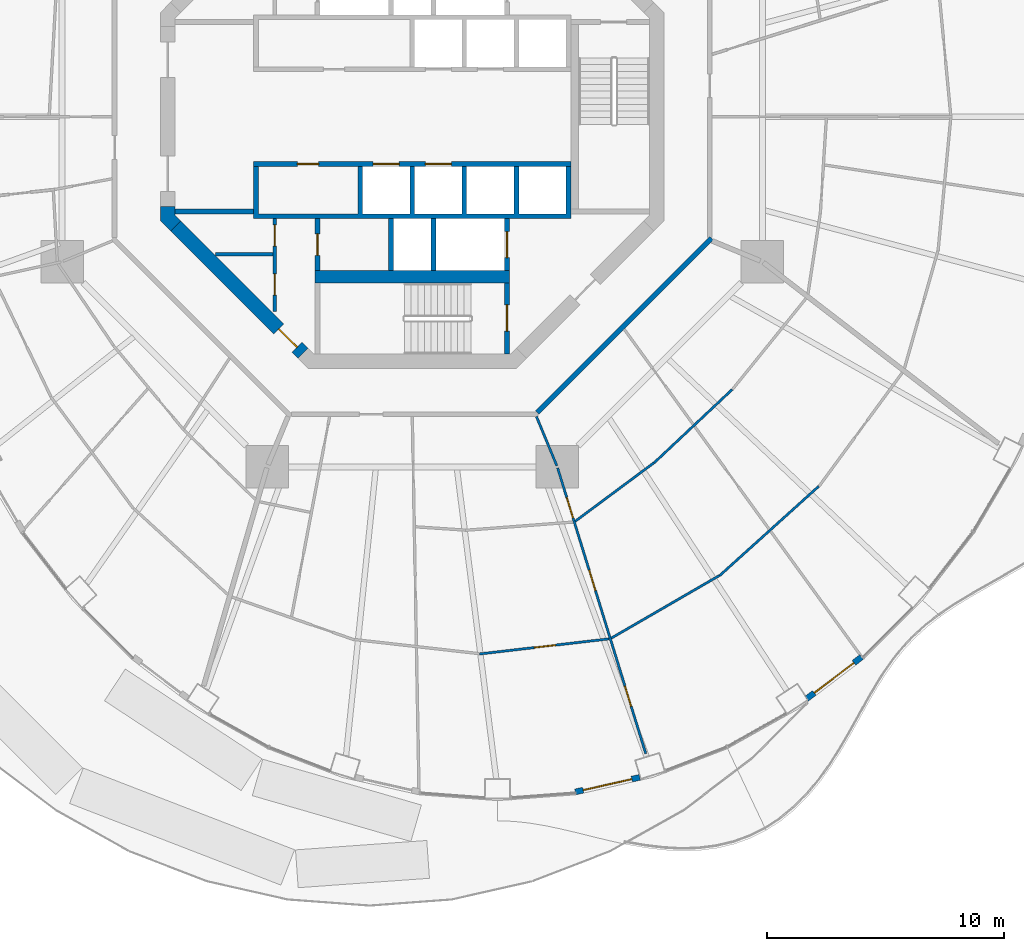
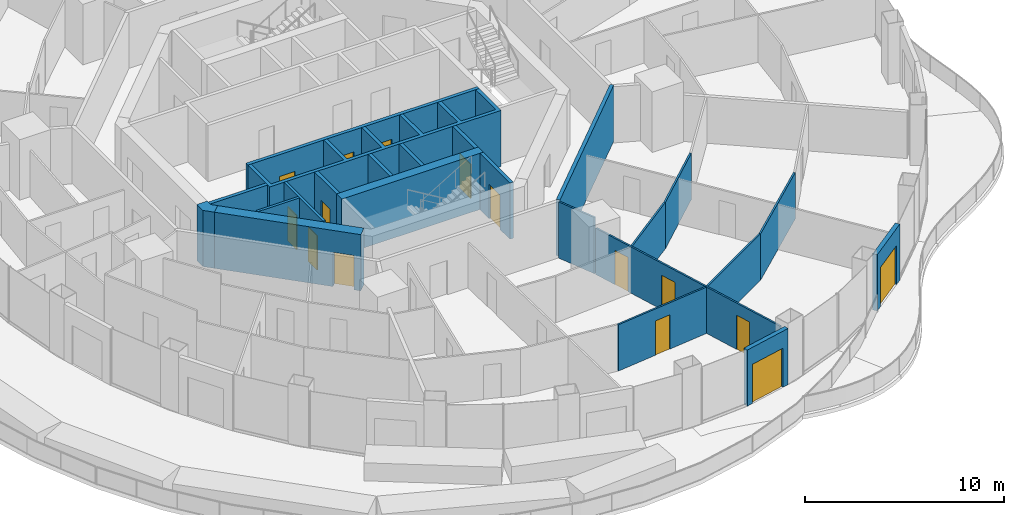
# One storey, part 13 of 20: 23 walls, 15 doors, 15 openings.
"""IFC4 building model written with IfcOpenShell, lengths in metres."""

from ifc_helpers import new_model, si_unit, direction, frame, frame_2d, origin, place, context, subcontext, project, spatial, polyline, rectangle, outline, extrude, material, layer, layer_set, type_object, element, fill, save


model = new_model("IFC4")

# Units and contexts
model_context = context("Model", 3, precision=1e-05, world=origin(), true_north=direction((0.0, 1.0)))
body_context = subcontext(model_context, "Body", "Model", "MODEL_VIEW")
ifc_project = project(units=[si_unit("LENGTHUNIT", "METRE"), si_unit("AREAUNIT", "SQUARE_METRE"), si_unit("VOLUMEUNIT", "CUBIC_METRE"), si_unit("PLANEANGLEUNIT", "RADIAN"), si_unit("MASSUNIT", "GRAM", prefix="KILO")], contexts=[model_context])

# Site, building, storey
site_placement = place(None, origin())
site = spatial("IfcSite", under=ifc_project, at=site_placement, CompositionType="ELEMENT")
building_placement = place(site_placement, origin())
building = spatial("IfcBuilding", under=site, at=building_placement, Name="Nagisa Residences", CompositionType="ELEMENT")
storey_placement = place(building_placement, frame((0.0, 0.0, 165.89990234375)))
storey = spatial("IfcBuildingStorey", under=building, at=storey_placement, Name="L41", CompositionType="ELEMENT", Elevation=165.89990234375)

# Wall
ifc_material_1 = material(Name="Gypsum board on steel studs", Category="steel")
ifc_layer_1 = layer(ifc_material_1, 0.199951171875)
ifc_layer_set_1 = layer_set([ifc_layer_1], Name="Apartment entry wall EI60 200")
wall_type_1 = type_object("IfcWallType", Name="Apartment entry wall EI60 200", PredefinedType="PARTITIONING", material=ifc_layer_set_1)
wall_1_placement = place(storey_placement, frame((5.275146484375, -12.494140625, 0.0), z_axis=(0.0, 0.0, 1.0), x_axis=(0.707106781187, 0.707106781187, 0.0)))
element("IfcWall", 1, at=wall_1_placement, inside=storey, type_object=wall_type_1, Name="wall:L41:u15", PredefinedType="PARTITIONING", context=body_context, shape_type="SweptSolid", body=[
    extrude(rectangle(XDim=10.4091796875, YDim=0.199951171875, at=frame_2d((5.20458984375, 0.0))), origin(), (0.0, 0.0, 1.0), 3.440185546875),
])

# Wall, opening, door
ifc_material_2 = material(Name="Gypsum board on steel studs", Category="steel")
ifc_layer_2 = layer(ifc_material_2, 0.10009765625)
ifc_layer_set_2 = layer_set([ifc_layer_2], Name="Apartment partition 100")
wall_type_2 = type_object("IfcWallType", Name="Apartment partition 100", PredefinedType="PARTITIONING", material=ifc_layer_set_2)
wall_2_placement = place(storey_placement, frame((2.841552734375, -22.682861328125, 0.0), z_axis=(0.0, 0.0, 1.0), x_axis=(0.993248590259, 0.116005335864, 0.0)))
wall_2 = element("IfcWall", 2, at=wall_2_placement, inside=storey, type_object=wall_type_2, Name="wall:L41:u77", PredefinedType="PARTITIONING", context=body_context, shape_type="SweptSolid", body=[
    extrude(rectangle(XDim=5.507568359375, YDim=0.10009765625, at=frame_2d((2.75390625, 0.0))), origin(), (0.0, 0.0, 1.0), 2.837158203125),
])
opening_1_placement = place(wall_2_placement, frame((2.328857421875, 0.0, 0.0)))
opening_1 = element("IfcOpeningElement", 3, at=opening_1_placement, cuts=wall_2, Name="Opening L41-U50", PredefinedType="OPENING", context=body_context, shape_type="SweptSolid", body=[
    extrude(rectangle(XDim=0.89990234375, YDim=2.10009765625, at=frame_2d((0.449951171875, 1.050048828125))), frame((0.0, 0.06005859375, 0.0), z_axis=(0.0, -1.0, 0.0), x_axis=(1.0, 0.0, 0.0)), (0.0, 0.0, 1.0), 0.1201171875),
])
ifc_material_3 = material(Name="Timber door set", Category="wood")
door_type_1 = type_object("IfcDoorType", Name="Apartment door 900x2100", OperationType="NOTDEFINED", PredefinedType="DOOR", material=ifc_material_3)
door_1_placement = place(opening_1_placement, frame((0.89990234375, 0.0, 0.0), x_axis=(-1.0, 0.0, 0.0)))
door_1 = element("IfcDoor", 4, at=door_1_placement, inside=storey, type_object=door_type_1, Name="Door to living room, Apartment 41D", OperationType="SINGLE_SWING_LEFT", OverallHeight=2.10009765625, OverallWidth=0.89990234375, PredefinedType="DOOR", context=body_context, shape_type="SweptSolid", body=[
    extrude(rectangle(XDim=0.89990234375, YDim=2.10009765625, at=frame_2d((0.449951171875, 1.050048828125))), frame((0.0, 0.02490234375, 0.0), z_axis=(0.0, -1.0, 0.0), x_axis=(1.0, 0.0, 0.0)), (0.0, 0.0, 1.0), 0.050048828125),
])
fill(opening_1, door_1)

# Wall
wall_3_placement = place(storey_placement, frame((5.24267578125, -12.6572265625, 0.0), z_axis=(0.0, 0.0, 1.0), x_axis=(0.382719158442, -0.923864733477, 0.0)))
element("IfcWall", 5, at=wall_3_placement, inside=storey, type_object=wall_type_2, Name="wall:L41:u78", PredefinedType="PARTITIONING", context=body_context, shape_type="SweptSolid", body=[
    extrude(rectangle(XDim=2.25, YDim=0.10009765625, at=frame_2d((1.125, 0.0))), origin(), (0.0, 0.0, 1.0), 3.440185546875),
])

# Wall, openings, doors
wall_4_placement = place(storey_placement, frame((6.1376953125, -14.829833984375, 0.0), z_axis=(0.0, 0.0, 1.0), x_axis=(0.294818517221, -0.955553264818, 0.0)))
wall_4 = element("IfcWall", 6, at=wall_4_placement, inside=storey, type_object=wall_type_2, Name="wall:L41:u79", PredefinedType="PARTITIONING", context=body_context, shape_type="SweptSolid", body=[
    extrude(rectangle(XDim=12.619384765625, YDim=0.10009765625, at=frame_2d((6.3095703125, 0.0))), origin(), (0.0, 0.0, 1.0), 2.837158203125),
])
opening_2_placement = place(wall_4_placement, frame((1.3056640625, 0.0, 0.0)))
opening_2 = element("IfcOpeningElement", 7, at=opening_2_placement, cuts=wall_4, Name="Opening L41-U43", PredefinedType="OPENING", context=body_context, shape_type="SweptSolid", body=[
    extrude(rectangle(XDim=0.89990234375, YDim=2.10009765625, at=frame_2d((0.449951171875, 1.050048828125))), frame((0.0, 0.06005859375, 0.0), z_axis=(0.0, -1.0, 0.0), x_axis=(1.0, 0.0, 0.0)), (0.0, 0.0, 1.0), 0.1201171875),
])
opening_3_placement = place(wall_4_placement, frame((4.5146484375, 0.0, 0.0)))
opening_3 = element("IfcOpeningElement", 8, at=opening_3_placement, cuts=wall_4, Name="Opening L41-U47", PredefinedType="OPENING", context=body_context, shape_type="SweptSolid", body=[
    extrude(rectangle(XDim=0.89990234375, YDim=2.10009765625, at=frame_2d((0.449951171875, 1.050048828125))), frame((0.0, 0.06005859375, 0.0), z_axis=(0.0, -1.0, 0.0), x_axis=(1.0, 0.0, 0.0)), (0.0, 0.0, 1.0), 0.1201171875),
])
opening_4_placement = place(wall_4_placement, frame((9.631591796875, 0.0, 0.0)))
opening_4 = element("IfcOpeningElement", 9, at=opening_4_placement, cuts=wall_4, Name="Opening L41-U51", PredefinedType="OPENING", context=body_context, shape_type="SweptSolid", body=[
    extrude(rectangle(XDim=0.89990234375, YDim=2.10009765625, at=frame_2d((0.449951171875, 1.050048828125))), frame((0.0, 0.06005859375, 0.0), z_axis=(0.0, -1.0, 0.0), x_axis=(1.0, 0.0, 0.0)), (0.0, 0.0, 1.0), 0.1201171875),
])
door_2_placement = place(opening_2_placement, origin())
door_2 = element("IfcDoor", 10, at=door_2_placement, inside=storey, type_object=door_type_1, Name="Door to store, Apartment 41D", OperationType="SINGLE_SWING_LEFT", OverallHeight=2.10009765625, OverallWidth=0.89990234375, PredefinedType="DOOR", context=body_context, shape_type="SweptSolid", body=[
    extrude(rectangle(XDim=0.89990234375, YDim=2.10009765625, at=frame_2d((0.449951171875, 1.050048828125))), frame((0.0, 0.02490234375, 0.0), z_axis=(0.0, -1.0, 0.0), x_axis=(1.0, 0.0, 0.0)), (0.0, 0.0, 1.0), 0.050048828125),
])
fill(opening_2, door_2)
door_3_placement = place(opening_3_placement, origin())
door_3 = element("IfcDoor", 11, at=door_3_placement, inside=storey, type_object=door_type_1, Name="Door to dining room, Apartment 41D", OperationType="SINGLE_SWING_LEFT", OverallHeight=2.10009765625, OverallWidth=0.89990234375, PredefinedType="DOOR", context=body_context, shape_type="SweptSolid", body=[
    extrude(rectangle(XDim=0.89990234375, YDim=2.10009765625, at=frame_2d((0.449951171875, 1.050048828125))), frame((0.0, 0.02490234375, 0.0), z_axis=(0.0, -1.0, 0.0), x_axis=(1.0, 0.0, 0.0)), (0.0, 0.0, 1.0), 0.050048828125),
])
fill(opening_3, door_3)
door_4_placement = place(opening_4_placement, origin())
door_4 = element("IfcDoor", 12, at=door_4_placement, inside=storey, type_object=door_type_1, Name="Door to master bedroom, Apartment 41D", OperationType="SINGLE_SWING_LEFT", OverallHeight=2.10009765625, OverallWidth=0.89990234375, PredefinedType="DOOR", context=body_context, shape_type="SweptSolid", body=[
    extrude(rectangle(XDim=0.89990234375, YDim=2.10009765625, at=frame_2d((0.449951171875, 1.050048828125))), frame((0.0, 0.02490234375, 0.0), z_axis=(0.0, -1.0, 0.0), x_axis=(1.0, 0.0, 0.0)), (0.0, 0.0, 1.0), 0.050048828125),
])
fill(opening_4, door_4)

# Walls
wall_5_placement = place(storey_placement, frame((6.881103515625, -17.07958984375, 0.0), z_axis=(0.0, 0.0, 1.0), x_axis=(0.802784956441, 0.596268659005, 0.0)))
element("IfcWall", 13, at=wall_5_placement, inside=storey, type_object=wall_type_2, Name="wall:L41:u80", PredefinedType="PARTITIONING", context=body_context, shape_type="SweptSolid", body=[
    extrude(rectangle(XDim=4.142333984375, YDim=0.10009765625, at=frame_2d((2.0712890625, 0.0))), origin(), (0.0, 0.0, 1.0), 2.837158203125),
])
wall_6_placement = place(storey_placement, frame((8.405029296875, -22.01318359375, 0.0), z_axis=(0.0, 0.0, 1.0), x_axis=(0.865277177388, 0.501293732547, 0.0)))
element("IfcWall", 14, at=wall_6_placement, inside=storey, type_object=wall_type_2, Name="wall:L41:u81", PredefinedType="PARTITIONING", context=body_context, shape_type="SweptSolid", body=[
    extrude(rectangle(XDim=5.27001953125, YDim=0.10009765625, at=frame_2d((2.635009765625, 0.0))), origin(), (0.0, 0.0, 1.0), 2.837158203125),
])
wall_7_placement = place(storey_placement, frame((10.21044921875, -14.614013671875, 0.0), z_axis=(0.0, 0.0, 1.0), x_axis=(0.728883199496, 0.684638066055, 0.0)))
element("IfcWall", 15, at=wall_7_placement, inside=storey, type_object=wall_type_2, Name="wall:L41:u82", PredefinedType="PARTITIONING", context=body_context, shape_type="SweptSolid", body=[
    extrude(rectangle(XDim=4.519287109375, YDim=0.10009765625, at=frame_2d((2.259765625, 0.0))), origin(), (0.0, 0.0, 1.0), 2.837158203125),
])
wall_8_placement = place(storey_placement, frame((12.97119140625, -19.3798828125, 0.0), z_axis=(0.0, 0.0, 1.0), x_axis=(0.742768881471, 0.669547898748, 0.0)))
element("IfcWall", 16, at=wall_8_placement, inside=storey, type_object=wall_type_2, Name="wall:L41:u83", PredefinedType="PARTITIONING", context=body_context, shape_type="SweptSolid", body=[
    extrude(rectangle(XDim=5.6416015625, YDim=0.10009765625, at=frame_2d((2.82080078125, 0.0))), origin(), (0.0, 0.0, 1.0), 2.837158203125),
])

# Wall, opening, door
ifc_material_4 = material(Name="Precast concrete C40/50", Category="concrete")
ifc_layer_3 = layer(ifc_material_4, 0.25)
ifc_layer_set_3 = layer_set([ifc_layer_3], Name="BALCONY DOOR WALL 250")
wall_type_3 = type_object("IfcWallType", Name="BALCONY DOOR WALL 250", PredefinedType="SOLIDWALL", material=ifc_layer_set_3)
wall_9_placement = place(storey_placement, frame((9.603515625, -27.890625, 0.0), z_axis=(0.0, 0.0, 1.0), x_axis=(-0.975324329911, -0.220776926974, 0.0)))
wall_9 = element("IfcWall", 17, at=wall_9_placement, inside=storey, type_object=wall_type_3, Name="wall:L41:bay37", PredefinedType="SOLIDWALL", context=body_context, shape_type="SweptSolid", body=[
    extrude(rectangle(XDim=2.787841796875, YDim=0.25, at=frame_2d((1.39404296875, 0.0))), origin(), (0.0, 0.0, 1.0), 3.440185546875),
])
opening_5_placement = place(wall_9_placement, frame((0.343994140625, 0.0, 0.0)))
opening_5 = element("IfcOpeningElement", 18, at=opening_5_placement, cuts=wall_9, Name="Opening BD-L41-13", PredefinedType="OPENING", context=body_context, shape_type="SweptSolid", body=[
    extrude(rectangle(XDim=2.10009765625, YDim=2.39990234375, at=frame_2d((1.050048828125, 1.199951171875))), frame((0.0, 0.135009765625, 0.0), z_axis=(0.0, -1.0, 0.0), x_axis=(1.0, 0.0, 0.0)), (0.0, 0.0, 1.0), 0.27001953125),
])
ifc_material_5 = material(Name="Aluminium and clear glass", Category="aluminium")
door_type_2 = type_object("IfcDoorType", Name="BALCONY SLIDING DOOR 2100x2400", OperationType="SLIDING_TO_LEFT", PredefinedType="DOOR", material=ifc_material_5)
door_5_placement = place(opening_5_placement, origin())
door_5 = element("IfcDoor", 19, at=door_5_placement, inside=storey, type_object=door_type_2, Name="door:L41:bay37", OperationType="SLIDING_TO_LEFT", OverallHeight=2.39990234375, OverallWidth=2.10009765625, PredefinedType="DOOR", context=body_context, shape_type="SweptSolid", body=[
    extrude(rectangle(XDim=2.10009765625, YDim=2.39990234375, at=frame_2d((1.050048828125, 1.199951171875))), frame((0.0, 0.02490234375, 0.0), z_axis=(0.0, -1.0, 0.0), x_axis=(1.0, 0.0, 0.0)), (0.0, 0.0, 1.0), 0.050048828125),
])
fill(opening_5, door_5)

wall_10_placement = place(storey_placement, frame((18.9716796875, -22.80859375, 0.0), z_axis=(0.0, 0.0, 1.0), x_axis=(-0.796055733703, -0.60522332146, 0.0)))
wall_10 = element("IfcWall", 20, at=wall_10_placement, inside=storey, type_object=wall_type_3, Name="wall:L41:bay40", PredefinedType="SOLIDWALL", context=body_context, shape_type="SweptSolid", body=[
    extrude(rectangle(XDim=2.9169921875, YDim=0.25, at=frame_2d((1.45849609375, 0.0))), origin(), (0.0, 0.0, 1.0), 3.440185546875),
])
opening_6_placement = place(wall_10_placement, frame((0.408447265625, 0.0, 0.0)))
opening_6 = element("IfcOpeningElement", 21, at=opening_6_placement, cuts=wall_10, Name="Opening BD-L41-14", PredefinedType="OPENING", context=body_context, shape_type="SweptSolid", body=[
    extrude(rectangle(XDim=2.10009765625, YDim=2.39990234375, at=frame_2d((1.050048828125, 1.199951171875))), frame((0.0, 0.135009765625, 0.0), z_axis=(0.0, -1.0, 0.0), x_axis=(1.0, 0.0, 0.0)), (0.0, 0.0, 1.0), 0.27001953125),
])
door_6_placement = place(opening_6_placement, origin())
door_6 = element("IfcDoor", 22, at=door_6_placement, inside=storey, type_object=door_type_2, Name="door:L41:bay40", OperationType="SLIDING_TO_LEFT", OverallHeight=2.39990234375, OverallWidth=2.10009765625, PredefinedType="DOOR", context=body_context, shape_type="SweptSolid", body=[
    extrude(rectangle(XDim=2.10009765625, YDim=2.39990234375, at=frame_2d((1.050048828125, 1.199951171875))), frame((0.0, 0.02490234375, 0.0), z_axis=(0.0, -1.0, 0.0), x_axis=(1.0, 0.0, 0.0)), (0.0, 0.0, 1.0), 0.050048828125),
])
fill(opening_6, door_6)

# Wall, openings, doors
ifc_material_6 = material(Name="Gypsum board on steel studs", Category="steel")
ifc_layer_4 = layer(ifc_material_6, 0.14990234375)
ifc_layer_set_4 = layer_set([ifc_layer_4], Name="Core partition 150")
wall_type_4 = type_object("IfcWallType", Name="Core partition 150", PredefinedType="PARTITIONING", material=ifc_layer_set_4)
wall_11_placement = place(storey_placement, frame((-5.800048828125, -8.22705078125, 0.0), z_axis=(0.0, 0.0, 1.0), x_axis=(0.0, 1.0, 0.0)))
wall_11 = element("IfcWall", 23, at=wall_11_placement, inside=storey, type_object=wall_type_4, Name="wall:L41:SWp", PredefinedType="PARTITIONING", context=body_context, shape_type="SweptSolid", body=[
    extrude(rectangle(XDim=3.927001953125, YDim=0.14990234375, at=frame_2d((1.96337890625, 0.0))), origin(), (0.0, 0.0, 1.0), 3.440185546875),
])
opening_7_placement = place(wall_11_placement, frame((2.764404296875, 0.0, 0.0)))
opening_7 = element("IfcOpeningElement", 24, at=opening_7_placement, cuts=wall_11, Name="Opening L41-C12", PredefinedType="OPENING", context=body_context, shape_type="SweptSolid", body=[
    extrude(rectangle(XDim=0.89990234375, YDim=2.10009765625, at=frame_2d((0.449951171875, 1.050048828125))), frame((0.0, 0.0849609375, 0.0), z_axis=(0.0, -1.0, 0.0), x_axis=(1.0, 0.0, 0.0)), (0.0, 0.0, 1.0), 0.169921875),
])
opening_8_placement = place(wall_11_placement, frame((0.6884765625, 0.0, 0.0)))
opening_8 = element("IfcOpeningElement", 25, at=opening_8_placement, cuts=wall_11, Name="Opening L41-C13", PredefinedType="OPENING", context=body_context, shape_type="SweptSolid", body=[
    extrude(rectangle(XDim=0.89990234375, YDim=2.10009765625, at=frame_2d((0.449951171875, 1.050048828125))), frame((0.0, 0.0849609375, 0.0), z_axis=(0.0, -1.0, 0.0), x_axis=(1.0, 0.0, 0.0)), (0.0, 0.0, 1.0), 0.169921875),
])
ifc_material_7 = material(Name="Steel fire door", Category="steel")
door_type_3 = type_object("IfcDoorType", Name="Fire door EI30 900x2100 single swing", OperationType="NOTDEFINED", PredefinedType="DOOR", material=ifc_material_7)
door_7_placement = place(opening_7_placement, origin())
door_7 = element("IfcDoor", 26, at=door_7_placement, inside=storey, type_object=door_type_3, Name="Janitor door L41", OperationType="SINGLE_SWING_RIGHT", OverallHeight=2.10009765625, OverallWidth=0.89990234375, PredefinedType="DOOR", context=body_context, shape_type="SweptSolid", body=[
    extrude(rectangle(XDim=0.89990234375, YDim=2.10009765625, at=frame_2d((0.449951171875, 1.050048828125))), frame((0.0, 0.02490234375, 0.0), z_axis=(0.0, -1.0, 0.0), x_axis=(1.0, 0.0, 0.0)), (0.0, 0.0, 1.0), 0.050048828125),
])
fill(opening_7, door_7)
door_8_placement = place(opening_8_placement, origin())
door_8 = element("IfcDoor", 27, at=door_8_placement, inside=storey, type_object=door_type_3, Name="Electrical room door L41", OperationType="SINGLE_SWING_RIGHT", OverallHeight=2.10009765625, OverallWidth=0.89990234375, PredefinedType="DOOR", context=body_context, shape_type="SweptSolid", body=[
    extrude(rectangle(XDim=0.89990234375, YDim=2.10009765625, at=frame_2d((0.449951171875, 1.050048828125))), frame((0.0, 0.02490234375, 0.0), z_axis=(0.0, -1.0, 0.0), x_axis=(1.0, 0.0, 0.0)), (0.0, 0.0, 1.0), 0.050048828125),
])
fill(opening_8, door_8)

# Walls
wall_12_placement = place(storey_placement, frame((-8.301025390625, -5.800048828125, 0.0), z_axis=(0.0, 0.0, 1.0), x_axis=(1.0, 0.0, 0.0)))
element("IfcWall", 28, at=wall_12_placement, inside=storey, type_object=wall_type_4, Name="wall:L41:SWq", PredefinedType="PARTITIONING", context=body_context, shape_type="SweptSolid", body=[
    extrude(rectangle(XDim=2.426025390625, YDim=0.14990234375, at=frame_2d((1.212890625, 0.0))), origin(), (0.0, 0.0, 1.0), 3.440185546875),
])
ifc_material_8 = material(Name="Gypsum board on steel studs", Category="steel")
ifc_layer_5 = layer(ifc_material_8, 0.199951171875)
ifc_layer_set_5 = layer_set([ifc_layer_5], Name="Core partition 200")
wall_type_5 = type_object("IfcWallType", Name="Core partition 200", PredefinedType="PARTITIONING", material=ifc_layer_set_5)
wall_13_placement = place(storey_placement, frame((-10.024658203125, -4.0, 0.0), z_axis=(0.0, 0.0, 1.0), x_axis=(1.0, 0.0, 0.0)))
element("IfcWall", 29, at=wall_13_placement, inside=storey, type_object=wall_type_5, Name="wall:L41:PSW", PredefinedType="PARTITIONING", context=body_context, shape_type="SweptSolid", body=[
    extrude(rectangle(XDim=3.32470703125, YDim=0.199951171875, at=frame_2d((1.662353515625, 0.0))), origin(), (0.0, 0.0, 1.0), 3.440185546875),
])

# Wall, opening, door
ifc_material_9 = material(Name="Concrete C60", Category="concrete")
ifc_layer_6 = layer(ifc_material_9, 0.60009765625)
ifc_layer_set_6 = layer_set([ifc_layer_6], Name="Core shear wall 600")
wall_type_6 = type_object("IfcWallType", Name="Core shear wall 600", PredefinedType="SHEAR", material=ifc_layer_set_6)
wall_14_placement = place(storey_placement, frame((-9.98828125, -4.613037109375, 0.0), z_axis=(0.0, 0.0, 1.0), x_axis=(0.707106781187, -0.707106781187, 0.0)))
wall_14 = element("IfcWall", 30, at=wall_14_placement, inside=storey, type_object=wall_type_6, Name="wall:L41:core:flat5", PredefinedType="SHEAR", context=body_context, shape_type="SweptSolid", body=[
    extrude(rectangle(XDim=7.601806640625, YDim=0.60009765625, at=frame_2d((3.80078125, 0.0))), origin(), (0.0, 0.0, 1.0), 3.440185546875),
])
opening_9_placement = place(wall_14_placement, frame((6.15087890625, 0.0, 0.0)))
opening_9 = element("IfcOpeningElement", 31, at=opening_9_placement, cuts=wall_14, Name="Opening L41-C22", PredefinedType="OPENING", context=body_context, shape_type="SweptSolid", body=[
    extrude(rectangle(XDim=1.10009765625, YDim=2.10009765625, at=frame_2d((0.550048828125, 1.050048828125))), frame((0.0, 0.31005859375, 0.0), z_axis=(0.0, -1.0, 0.0), x_axis=(1.0, 0.0, 0.0)), (0.0, 0.0, 1.0), 0.6201171875),
])
ifc_material_10 = material(Name="Steel fire door", Category="steel")
door_type_4 = type_object("IfcDoorType", Name="Fire door EI60 1100x2100 single swing", OperationType="NOTDEFINED", PredefinedType="DOOR", material=ifc_material_10)
door_9_placement = place(opening_9_placement, origin())
door_9 = element("IfcDoor", 32, at=door_9_placement, inside=storey, type_object=door_type_4, Name="Housekeeping lobby door L41", OperationType="SINGLE_SWING_LEFT", OverallHeight=2.10009765625, OverallWidth=1.10009765625, PredefinedType="DOOR", context=body_context, shape_type="SweptSolid", body=[
    extrude(rectangle(XDim=1.10009765625, YDim=2.10009765625, at=frame_2d((0.550048828125, 1.050048828125))), frame((0.0, 0.02490234375, 0.0), z_axis=(0.0, -1.0, 0.0), x_axis=(1.0, 0.0, 0.0)), (0.0, 0.0, 1.0), 0.050048828125),
])
fill(opening_9, door_9)

# Wall
wall_15_placement = place(storey_placement, origin())
element("IfcWall", 33, at=wall_15_placement, inside=storey, type_object=wall_type_6, Name="wall:L41:core:pier4", PredefinedType="SHEAR", context=body_context, shape_type="SweptSolid", body=[
    extrude(outline(polyline([(-10.62451171875, -3.80078125), (-10.024658203125, -3.80078125), (-10.024658203125, -4.15234375), (-9.776123046875, -4.40087890625), (-10.200439453125, -4.8251953125), (-10.62451171875, -4.40087890625), (-10.62451171875, -3.80078125)])), origin(), (0.0, 0.0, 1.0), 3.440185546875),
])

# Wall, opening, door
ifc_material_11 = material(Name="Concrete C60", Category="concrete")
ifc_layer_7 = layer(ifc_material_11, 0.199951171875)
ifc_layer_set_7 = layer_set([ifc_layer_7], Name="Lift shaft wall 200")
wall_type_7 = type_object("IfcWallType", Name="Lift shaft wall 200", PredefinedType="SOLIDWALL", material=ifc_layer_set_7)
wall_16_placement = place(storey_placement, frame((4.0, -6.5, 0.0), z_axis=(0.0, 0.0, 1.0), x_axis=(0.0, 1.0, 0.0)))
wall_16 = element("IfcWall", 34, at=wall_16_placement, inside=storey, type_object=wall_type_7, Name="wall:L41:Sb3", PredefinedType="SOLIDWALL", context=body_context, shape_type="SweptSolid", body=[
    extrude(rectangle(XDim=2.199951171875, YDim=0.199951171875, at=frame_2d((1.10009765625, 0.0))), origin(), (0.0, 0.0, 1.0), 3.440185546875),
])
opening_10_placement = place(wall_16_placement, frame((0.550048828125, 0.0, 0.0)))
opening_10 = element("IfcOpeningElement", 35, at=opening_10_placement, cuts=wall_16, Name="Opening L41-C06", PredefinedType="OPENING", context=body_context, shape_type="SweptSolid", body=[
    extrude(rectangle(XDim=1.10009765625, YDim=2.10009765625, at=frame_2d((0.550048828125, 1.050048828125))), frame((0.0, 0.10986328125, 0.0), z_axis=(0.0, -1.0, 0.0), x_axis=(1.0, 0.0, 0.0)), (0.0, 0.0, 1.0), 0.219970703125),
])
ifc_material_12 = material(Name="Stainless steel", Category="steel")
door_type_5 = type_object("IfcDoorType", Name="Lift landing door 1100x2100", OperationType="DOUBLE_DOOR_SLIDING", PredefinedType="DOOR", material=ifc_material_12)
door_10_placement = place(opening_10_placement, origin())
door_10 = element("IfcDoor", 36, at=door_10_placement, inside=storey, type_object=door_type_5, Name="Landing door FL2 L41", OperationType="DOUBLE_DOOR_SLIDING", OverallHeight=2.10009765625, OverallWidth=1.10009765625, PredefinedType="DOOR", context=body_context, shape_type="SweptSolid", body=[
    extrude(rectangle(XDim=1.10009765625, YDim=2.10009765625, at=frame_2d((0.550048828125, 1.050048828125))), frame((0.0, 0.02490234375, 0.0), z_axis=(0.0, -1.0, 0.0), x_axis=(1.0, 0.0, 0.0)), (0.0, 0.0, 1.0), 0.050048828125),
])
fill(opening_10, door_10)

wall_17_placement = place(storey_placement, frame((-4.0, -6.5, 0.0), z_axis=(0.0, 0.0, 1.0), x_axis=(0.0, 1.0, 0.0)))
wall_17 = element("IfcWall", 37, at=wall_17_placement, inside=storey, type_object=wall_type_7, Name="wall:L41:Sb4", PredefinedType="SOLIDWALL", context=body_context, shape_type="SweptSolid", body=[
    extrude(rectangle(XDim=2.199951171875, YDim=0.199951171875, at=frame_2d((1.10009765625, 0.0))), origin(), (0.0, 0.0, 1.0), 3.440185546875),
])
opening_11_placement = place(wall_17_placement, frame((0.64990234375, 0.0, 0.0)))
opening_11 = element("IfcOpeningElement", 38, at=opening_11_placement, cuts=wall_17, Name="Opening L41-C14", PredefinedType="OPENING", context=body_context, shape_type="SweptSolid", body=[
    extrude(rectangle(XDim=0.89990234375, YDim=2.10009765625, at=frame_2d((0.449951171875, 1.050048828125))), frame((0.0, 0.10986328125, 0.0), z_axis=(0.0, -1.0, 0.0), x_axis=(1.0, 0.0, 0.0)), (0.0, 0.0, 1.0), 0.219970703125),
])
door_11_placement = place(opening_11_placement, frame((0.89990234375, 0.0, 0.0), x_axis=(-1.0, 0.0, 0.0)))
door_11 = element("IfcDoor", 39, at=door_11_placement, inside=storey, type_object=door_type_3, Name="Refuse room door L41", OperationType="SINGLE_SWING_LEFT", OverallHeight=2.10009765625, OverallWidth=0.89990234375, PredefinedType="DOOR", context=body_context, shape_type="SweptSolid", body=[
    extrude(rectangle(XDim=0.89990234375, YDim=2.10009765625, at=frame_2d((0.449951171875, 1.050048828125))), frame((0.0, 0.02490234375, 0.0), z_axis=(0.0, -1.0, 0.0), x_axis=(1.0, 0.0, 0.0)), (0.0, 0.0, 1.0), 0.050048828125),
])
fill(opening_11, door_11)

# Wall, openings, doors
wall_18_placement = place(storey_placement, frame((-6.699951171875, -2.0, 0.0), z_axis=(0.0, 0.0, 1.0), x_axis=(1.0, 0.0, 0.0)))
wall_18 = element("IfcWall", 40, at=wall_18_placement, inside=storey, type_object=wall_type_7, Name="wall:L41:Sfront", PredefinedType="SOLIDWALL", context=body_context, shape_type="SweptSolid", body=[
    extrude(rectangle(XDim=13.39990234375, YDim=0.199951171875, at=frame_2d((6.699951171875, 0.0))), origin(), (0.0, 0.0, 1.0), 3.440185546875),
])
opening_12_placement = place(wall_18_placement, frame((5.050048828125, 0.0, 0.0)))
opening_12 = element("IfcOpeningElement", 41, at=opening_12_placement, cuts=wall_18, Name="Opening L41-C03", PredefinedType="OPENING", context=body_context, shape_type="SweptSolid", body=[
    extrude(rectangle(XDim=1.10009765625, YDim=2.10009765625, at=frame_2d((0.550048828125, 1.050048828125))), frame((0.0, 0.10986328125, 0.0), z_axis=(0.0, -1.0, 0.0), x_axis=(1.0, 0.0, 0.0)), (0.0, 0.0, 1.0), 0.219970703125),
])
opening_13_placement = place(wall_18_placement, frame((7.25, 0.0, 0.0)))
opening_13 = element("IfcOpeningElement", 42, at=opening_13_placement, cuts=wall_18, Name="Opening L41-C04", PredefinedType="OPENING", context=body_context, shape_type="SweptSolid", body=[
    extrude(rectangle(XDim=1.10009765625, YDim=2.10009765625, at=frame_2d((0.550048828125, 1.050048828125))), frame((0.0, 0.10986328125, 0.0), z_axis=(0.0, -1.0, 0.0), x_axis=(1.0, 0.0, 0.0)), (0.0, 0.0, 1.0), 0.219970703125),
])
opening_14_placement = place(wall_18_placement, frame((1.85009765625, 0.0, 0.0)))
opening_14 = element("IfcOpeningElement", 43, at=opening_14_placement, cuts=wall_18, Name="Opening L41-C16", PredefinedType="OPENING", context=body_context, shape_type="SweptSolid", body=[
    extrude(rectangle(XDim=0.89990234375, YDim=2.10009765625, at=frame_2d((0.449951171875, 1.050048828125))), frame((0.0, 0.10986328125, 0.0), z_axis=(0.0, -1.0, 0.0), x_axis=(1.0, 0.0, 0.0)), (0.0, 0.0, 1.0), 0.219970703125),
])
door_12_placement = place(opening_14_placement, frame((0.89990234375, 0.0, 0.0), x_axis=(-1.0, 0.0, 0.0)))
door_12 = element("IfcDoor", 44, at=door_12_placement, inside=storey, type_object=door_type_3, Name="Owner storage door L41", OperationType="SINGLE_SWING_RIGHT", OverallHeight=2.10009765625, OverallWidth=0.89990234375, PredefinedType="DOOR", context=body_context, shape_type="SweptSolid", body=[
    extrude(rectangle(XDim=0.89990234375, YDim=2.10009765625, at=frame_2d((0.449951171875, 1.050048828125))), frame((0.0, 0.02490234375, 0.0), z_axis=(0.0, -1.0, 0.0), x_axis=(1.0, 0.0, 0.0)), (0.0, 0.0, 1.0), 0.050048828125),
])
fill(opening_14, door_12)
door_13_placement = place(opening_12_placement, origin())
door_13 = element("IfcDoor", 45, at=door_13_placement, inside=storey, type_object=door_type_5, Name="Landing door B3 L41", OperationType="DOUBLE_DOOR_SLIDING", OverallHeight=2.10009765625, OverallWidth=1.10009765625, PredefinedType="DOOR", context=body_context, shape_type="SweptSolid", body=[
    extrude(rectangle(XDim=1.10009765625, YDim=2.10009765625, at=frame_2d((0.550048828125, 1.050048828125))), frame((0.0, 0.02490234375, 0.0), z_axis=(0.0, -1.0, 0.0), x_axis=(1.0, 0.0, 0.0)), (0.0, 0.0, 1.0), 0.050048828125),
])
fill(opening_12, door_13)
door_14_placement = place(opening_13_placement, origin())
door_14 = element("IfcDoor", 46, at=door_14_placement, inside=storey, type_object=door_type_5, Name="Landing door B4 L41", OperationType="DOUBLE_DOOR_SLIDING", OverallHeight=2.10009765625, OverallWidth=1.10009765625, PredefinedType="DOOR", context=body_context, shape_type="SweptSolid", body=[
    extrude(rectangle(XDim=1.10009765625, YDim=2.10009765625, at=frame_2d((0.550048828125, 1.050048828125))), frame((0.0, 0.02490234375, 0.0), z_axis=(0.0, -1.0, 0.0), x_axis=(1.0, 0.0, 0.0)), (0.0, 0.0, 1.0), 0.050048828125),
])
fill(opening_13, door_14)

# Walls
for number, where, z_axis, x_axis, name in (
    (47, (-0.89990234375, -6.5, 0.0), (0.0, 0.0, 1.0), (0.0, 1.0, 0.0), "wall:L41:Sb1"),
    (48, (0.89990234375, -6.5, 0.0), (0.0, 0.0, 1.0), (0.0, 1.0, 0.0), "wall:L41:Sb2"),
):
    element("IfcWall", number, at=place(storey_placement, frame(where, z_axis=z_axis, x_axis=x_axis)), inside=storey, type_object=wall_type_7, Name=name, PredefinedType="SOLIDWALL", context=body_context, shape_type="SweptSolid", body=[
        extrude(rectangle(XDim=2.199951171875, YDim=0.199951171875, at=frame_2d((1.10009765625, 0.0))), origin(), (0.0, 0.0, 1.0), 3.440185546875),
    ])
wall_19_placement = place(storey_placement, origin())
element("IfcWall", 49, at=wall_19_placement, inside=storey, type_object=wall_type_7, Name="wall:L41:Sback", PredefinedType="SOLIDWALL", context=body_context, shape_type="SweptSolid", body=[
    extrude(outline(polyline([(-6.699951171875, -2.10009765625), (-6.5, -2.10009765625), (-6.5, -4.10009765625), (-2.300048828125, -4.10009765625), (-2.300048828125, -2.10009765625), (-2.10009765625, -2.10009765625), (-2.10009765625, -4.10009765625), (-0.10009765625, -4.10009765625), (-0.10009765625, -2.10009765625), (0.10009765625, -2.10009765625), (0.10009765625, -4.10009765625), (2.10009765625, -4.10009765625), (2.10009765625, -2.10009765625), (2.300048828125, -2.10009765625), (2.300048828125, -4.10009765625), (4.300048828125, -4.10009765625), (4.300048828125, -2.10009765625), (4.5, -2.10009765625), (4.5, -4.10009765625), (6.5, -4.10009765625), (6.5, -2.10009765625), (6.699951171875, -2.10009765625), (6.699951171875, -4.300048828125), (-6.699951171875, -4.300048828125), (-6.699951171875, -2.10009765625)])), origin(), (0.0, 0.0, 1.0), 3.440185546875),
])

# Wall, opening, door
ifc_material_13 = material(Name="Concrete C60", Category="concrete")
ifc_layer_8 = layer(ifc_material_13, 0.199951171875)
ifc_layer_set_8 = layer_set([ifc_layer_8], Name="Stair enclosure wall 200")
wall_type_8 = type_object("IfcWallType", Name="Stair enclosure wall 200", PredefinedType="SOLIDWALL", material=ifc_layer_set_8)
wall_20_placement = place(storey_placement, frame((4.0, -10.024658203125, 0.0), z_axis=(0.0, 0.0, 1.0), x_axis=(0.0, 1.0, 0.0)))
wall_20 = element("IfcWall", 50, at=wall_20_placement, inside=storey, type_object=wall_type_8, Name="wall:L41:SS_e", PredefinedType="SOLIDWALL", context=body_context, shape_type="SweptSolid", body=[
    extrude(rectangle(XDim=3.0, YDim=0.199951171875, at=frame_2d((1.5, 0.0))), origin(), (0.0, 0.0, 1.0), 3.440185546875),
])
opening_15_placement = place(wall_20_placement, frame((0.974609375, 0.0, 0.0)))
opening_15 = element("IfcOpeningElement", 51, at=opening_15_placement, cuts=wall_20, Name="Opening L41-C10", PredefinedType="OPENING", context=body_context, shape_type="SweptSolid", body=[
    extrude(rectangle(XDim=1.10009765625, YDim=2.10009765625, at=frame_2d((0.550048828125, 1.050048828125))), frame((0.0, 0.10986328125, 0.0), z_axis=(0.0, -1.0, 0.0), x_axis=(1.0, 0.0, 0.0)), (0.0, 0.0, 1.0), 0.219970703125),
])
ifc_material_14 = material(Name="Steel fire door", Category="steel")
door_type_6 = type_object("IfcDoorType", Name="Fire door EI90 1100x2100 single swing", OperationType="NOTDEFINED", PredefinedType="DOOR", material=ifc_material_14)
door_15_placement = place(opening_15_placement, origin())
door_15 = element("IfcDoor", 52, at=door_15_placement, inside=storey, type_object=door_type_6, Name="Stair door ST-S L41", OperationType="SINGLE_SWING_RIGHT", OverallHeight=2.10009765625, OverallWidth=1.10009765625, PredefinedType="DOOR", context=body_context, shape_type="SweptSolid", body=[
    extrude(rectangle(XDim=1.10009765625, YDim=2.10009765625, at=frame_2d((0.550048828125, 1.050048828125))), frame((0.0, 0.02490234375, 0.0), z_axis=(0.0, -1.0, 0.0), x_axis=(1.0, 0.0, 0.0)), (0.0, 0.0, 1.0), 0.050048828125),
])
fill(opening_15, door_15)

# Wall
wall_21_placement = place(storey_placement, origin())
element("IfcWall", 53, at=wall_21_placement, inside=storey, type_object=wall_type_8, Name="wall:L41:SS_n", PredefinedType="SOLIDWALL", context=body_context, shape_type="SweptSolid", body=[
    extrude(outline(polyline([(4.10009765625, -7.024658203125), (-4.10009765625, -7.024658203125), (-4.10009765625, -6.5), (4.10009765625, -6.5), (4.10009765625, -7.024658203125)])), origin(), (0.0, 0.0, 1.0), 3.440185546875),
])

save(model, "model.ifc")
